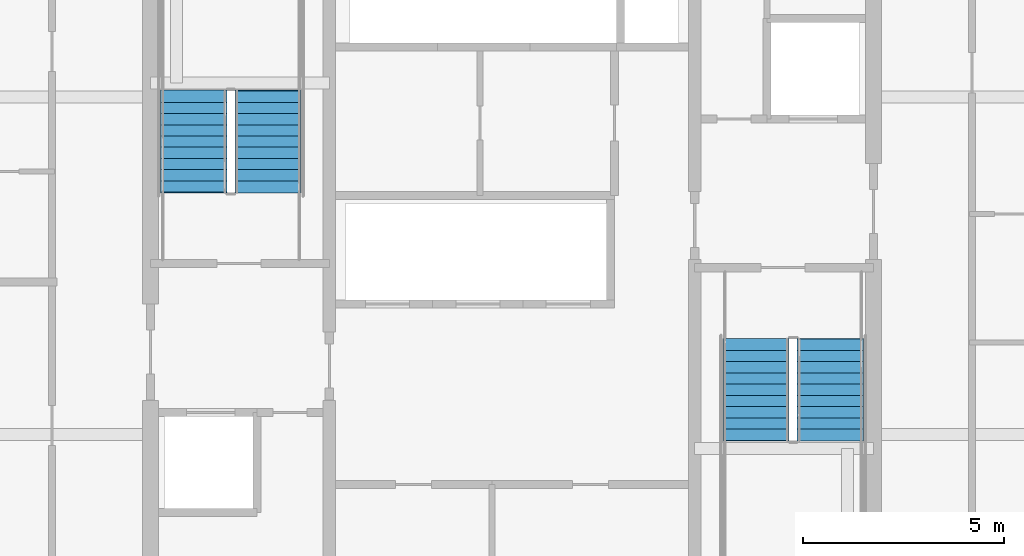
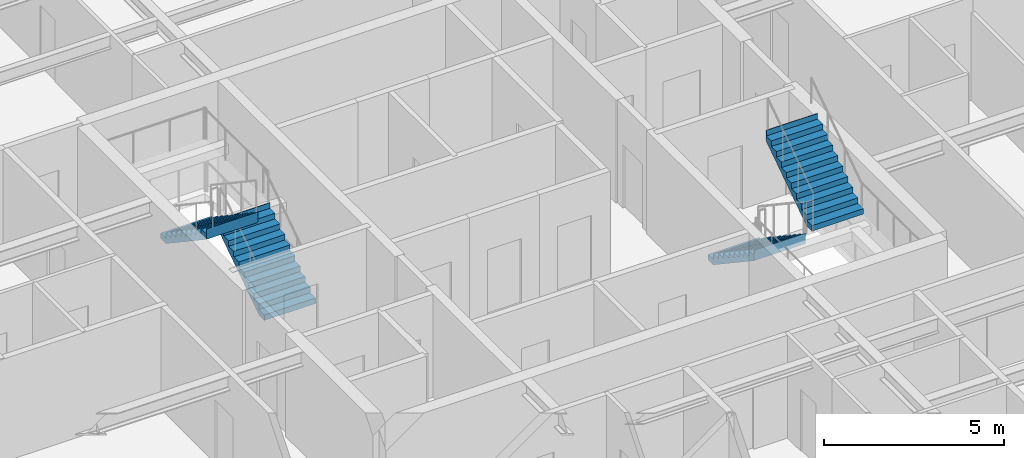
# One storey, part 28 of 33: 4 stair flights, 2 elements without a shape of their own.
"""IFC4 building model written with IfcOpenShell, lengths in metres."""

from ifc_helpers import new_model, si_unit, direction, frame, origin, place, context, subcontext, project, spatial, polygons, material, type_object, element, aggregate, save


model = new_model("IFC4")

# Units and contexts
model_context = context("Model", 3, precision=1e-05, world=origin(), true_north=direction((0.0, 1.0)))
body_context = subcontext(model_context, "Body", "Model", "MODEL_VIEW")
ifc_project = project(units=[si_unit("LENGTHUNIT", "METRE"), si_unit("AREAUNIT", "SQUARE_METRE"), si_unit("VOLUMEUNIT", "CUBIC_METRE"), si_unit("PLANEANGLEUNIT", "RADIAN"), si_unit("MASSUNIT", "GRAM", prefix="KILO")], contexts=[model_context])

# Site, building, storey
site_placement = place(None, origin())
site = spatial("IfcSite", under=ifc_project, at=site_placement, CompositionType="ELEMENT")
building_placement = place(site_placement, origin())
building = spatial("IfcBuilding", under=site, at=building_placement, Name="Serunith Strait Residences", CompositionType="ELEMENT")
storey_placement = place(building_placement, frame((0.0, 0.0, 150.14990234375)))
storey = spatial("IfcBuildingStorey", under=building, at=storey_placement, Name="L37", CompositionType="ELEMENT", Elevation=150.14990234375)

# Stair, stair flights
ifc_material = material(Name="Concrete C50/60", Category="concrete")
stair_type_1 = type_object("IfcStairType", Name="STR-CORE-1", PredefinedType="HALF_TURN_STAIR", material=ifc_material)
stair_1_placement = place(storey_placement, origin())
stair_1 = element("IfcStair", 1, at=stair_1_placement, inside=storey, type_object=stair_type_1, Name="L37 Protected Escape Stair ST-1", PredefinedType="HALF_TURN_STAIR")
stair_flight_type_1 = type_object("IfcStairFlightType", Name="FLT-CORE-1", PredefinedType="STRAIGHT", material=ifc_material)
stair_flight_1_placement = place(storey_placement, frame((26.324951171875, 27.030029296875, 0.0), z_axis=(0.0, 0.0, 1.0), x_axis=(0.0, 1.0, 0.0)))
stair_flight_1 = element("IfcStairFlight", 2, at=stair_flight_1_placement, type_object=stair_flight_type_1, Name="ST-1 flight 1", NumberOfRisers=10, NumberOfTreads=9, PredefinedType="STRAIGHT", RiserHeight=0.1875, TreadLength=0.28, context=body_context, shape_type="Tessellation", body=[
    polygons([(-0.02001953125, -0.824951171875, 0.0), (-0.02001953125, -0.824951171875, 0.1875), (0.280029296875, -0.824951171875, 0.1875), (0.280029296875, -0.824951171875, 0.375), (0.56005859375, -0.824951171875, 0.375), (0.56005859375, -0.824951171875, 0.5625), (0.840087890625, -0.824951171875, 0.5625), (0.840087890625, -0.824951171875, 0.75), (1.1201171875, -0.824951171875, 0.75), (1.1201171875, -0.824951171875, 0.9375), (1.39990234375, -0.824951171875, 0.9375), (1.39990234375, -0.824951171875, 1.125), (1.679931640625, -0.824951171875, 1.125), (1.679931640625, -0.824951171875, 1.3125), (1.9599609375, -0.824951171875, 1.3125), (1.9599609375, -0.824951171875, 1.5), (2.239990234375, -0.824951171875, 1.5), (2.239990234375, -0.824951171875, 1.6875), (2.52001953125, -0.824951171875, 1.6875), (2.52001953125, -0.824951171875, 1.875), (2.5400390625, -0.824951171875, 1.875), (2.5400390625, -0.824951171875, 1.81494140625), (2.52001953125, -0.824951171875, 1.507080078125), (0.26953125, -0.824951171875, 0.0), (-0.02001953125, -0.41259765625, 0.0), (-0.02001953125, -0.41259765625, 0.1875), (0.280029296875, -0.41259765625, 0.1875), (0.280029296875, -0.41259765625, 0.375), (0.56005859375, -0.41259765625, 0.375), (0.56005859375, -0.41259765625, 0.5625), (0.840087890625, -0.41259765625, 0.5625), (0.840087890625, -0.41259765625, 0.75), (1.1201171875, -0.41259765625, 0.75), (1.1201171875, -0.41259765625, 0.9375), (1.39990234375, -0.41259765625, 0.9375), (1.39990234375, -0.41259765625, 1.125), (1.679931640625, -0.41259765625, 1.125), (1.679931640625, -0.41259765625, 1.3125), (1.9599609375, -0.41259765625, 1.3125), (1.9599609375, -0.41259765625, 1.5), (2.239990234375, -0.41259765625, 1.5), (2.239990234375, -0.41259765625, 1.6875), (2.52001953125, -0.41259765625, 1.6875), (2.52001953125, -0.41259765625, 1.875), (2.5400390625, -0.41259765625, 1.875), (2.5400390625, -0.41259765625, 1.81494140625), (2.52001953125, -0.41259765625, 1.507080078125), (0.26953125, -0.41259765625, 0.0), (-0.02001953125, 0.0, 0.0), (-0.02001953125, 0.0, 0.1875), (0.280029296875, 0.0, 0.1875), (0.280029296875, 0.0, 0.375), (0.56005859375, 0.0, 0.375), (0.56005859375, 0.0, 0.5625), (0.840087890625, 0.0, 0.5625), (0.840087890625, 0.0, 0.75), (1.1201171875, 0.0, 0.75), (1.1201171875, 0.0, 0.9375), (1.39990234375, 0.0, 0.9375), (1.39990234375, 0.0, 1.125), (1.679931640625, 0.0, 1.125), (1.679931640625, 0.0, 1.3125), (1.9599609375, 0.0, 1.3125), (1.9599609375, 0.0, 1.5), (2.239990234375, 0.0, 1.5), (2.239990234375, 0.0, 1.6875), (2.52001953125, 0.0, 1.6875), (2.52001953125, 0.0, 1.875), (2.5400390625, 0.0, 1.875), (2.5400390625, 0.0, 1.81494140625), (2.52001953125, 0.0, 1.507080078125), (0.26953125, 0.0, 0.0), (-0.02001953125, 0.41259765625, 0.0), (-0.02001953125, 0.41259765625, 0.1875), (0.280029296875, 0.41259765625, 0.1875), (0.280029296875, 0.41259765625, 0.375), (0.56005859375, 0.41259765625, 0.375), (0.56005859375, 0.41259765625, 0.5625), (0.840087890625, 0.41259765625, 0.5625), (0.840087890625, 0.41259765625, 0.75), (1.1201171875, 0.41259765625, 0.75), (1.1201171875, 0.41259765625, 0.9375), (1.39990234375, 0.41259765625, 0.9375), (1.39990234375, 0.41259765625, 1.125), (1.679931640625, 0.41259765625, 1.125), (1.679931640625, 0.41259765625, 1.3125), (1.9599609375, 0.41259765625, 1.3125), (1.9599609375, 0.41259765625, 1.5), (2.239990234375, 0.41259765625, 1.5), (2.239990234375, 0.41259765625, 1.6875), (2.52001953125, 0.41259765625, 1.6875), (2.52001953125, 0.41259765625, 1.875), (2.5400390625, 0.41259765625, 1.875), (2.5400390625, 0.41259765625, 1.81494140625), (2.52001953125, 0.41259765625, 1.507080078125), (0.26953125, 0.41259765625, 0.0), (-0.02001953125, 0.824951171875, 0.0), (-0.02001953125, 0.824951171875, 0.1875), (0.280029296875, 0.824951171875, 0.1875), (0.280029296875, 0.824951171875, 0.375), (0.56005859375, 0.824951171875, 0.375), (0.56005859375, 0.824951171875, 0.5625), (0.840087890625, 0.824951171875, 0.5625), (0.840087890625, 0.824951171875, 0.75), (1.1201171875, 0.824951171875, 0.75), (1.1201171875, 0.824951171875, 0.9375), (1.39990234375, 0.824951171875, 0.9375), (1.39990234375, 0.824951171875, 1.125), (1.679931640625, 0.824951171875, 1.125), (1.679931640625, 0.824951171875, 1.3125), (1.9599609375, 0.824951171875, 1.3125), (1.9599609375, 0.824951171875, 1.5), (2.239990234375, 0.824951171875, 1.5), (2.239990234375, 0.824951171875, 1.6875), (2.52001953125, 0.824951171875, 1.6875), (2.52001953125, 0.824951171875, 1.875), (2.5400390625, 0.824951171875, 1.875), (2.5400390625, 0.824951171875, 1.81494140625), (2.52001953125, 0.824951171875, 1.507080078125), (0.26953125, 0.824951171875, 0.0)], [[[1, 2, 26, 25]], [[2, 3, 27, 26]], [[3, 4, 28, 27]], [[4, 5, 29, 28]], [[5, 6, 30, 29]], [[6, 7, 31, 30]], [[7, 8, 32, 31]], [[8, 9, 33, 32]], [[9, 10, 34, 33]], [[10, 11, 35, 34]], [[11, 12, 36, 35]], [[12, 13, 37, 36]], [[13, 14, 38, 37]], [[14, 15, 39, 38]], [[15, 16, 40, 39]], [[16, 17, 41, 40]], [[17, 18, 42, 41]], [[18, 19, 43, 42]], [[19, 20, 44, 43]], [[20, 21, 45, 44]], [[21, 22, 46, 45]], [[22, 23, 47, 46]], [[23, 24, 48, 47]], [[24, 1, 25, 48]], [[25, 26, 50, 49]], [[26, 27, 51, 50]], [[27, 28, 52, 51]], [[28, 29, 53, 52]], [[29, 30, 54, 53]], [[30, 31, 55, 54]], [[31, 32, 56, 55]], [[32, 33, 57, 56]], [[33, 34, 58, 57]], [[34, 35, 59, 58]], [[35, 36, 60, 59]], [[36, 37, 61, 60]], [[37, 38, 62, 61]], [[38, 39, 63, 62]], [[39, 40, 64, 63]], [[40, 41, 65, 64]], [[41, 42, 66, 65]], [[42, 43, 67, 66]], [[43, 44, 68, 67]], [[44, 45, 69, 68]], [[45, 46, 70, 69]], [[46, 47, 71, 70]], [[47, 48, 72, 71]], [[48, 25, 49, 72]], [[49, 50, 74, 73]], [[50, 51, 75, 74]], [[51, 52, 76, 75]], [[52, 53, 77, 76]], [[53, 54, 78, 77]], [[54, 55, 79, 78]], [[55, 56, 80, 79]], [[56, 57, 81, 80]], [[57, 58, 82, 81]], [[58, 59, 83, 82]], [[59, 60, 84, 83]], [[60, 61, 85, 84]], [[61, 62, 86, 85]], [[62, 63, 87, 86]], [[63, 64, 88, 87]], [[64, 65, 89, 88]], [[65, 66, 90, 89]], [[66, 67, 91, 90]], [[67, 68, 92, 91]], [[68, 69, 93, 92]], [[69, 70, 94, 93]], [[70, 71, 95, 94]], [[71, 72, 96, 95]], [[72, 49, 73, 96]], [[73, 74, 98, 97]], [[74, 75, 99, 98]], [[75, 76, 100, 99]], [[76, 77, 101, 100]], [[77, 78, 102, 101]], [[78, 79, 103, 102]], [[79, 80, 104, 103]], [[80, 81, 105, 104]], [[81, 82, 106, 105]], [[82, 83, 107, 106]], [[83, 84, 108, 107]], [[84, 85, 109, 108]], [[85, 86, 110, 109]], [[86, 87, 111, 110]], [[87, 88, 112, 111]], [[88, 89, 113, 112]], [[89, 90, 114, 113]], [[90, 91, 115, 114]], [[91, 92, 116, 115]], [[92, 93, 117, 116]], [[93, 94, 118, 117]], [[94, 95, 119, 118]], [[95, 96, 120, 119]], [[96, 73, 97, 120]], [[24, 23, 22, 21, 20, 19, 18, 17, 16, 15, 14, 13, 12, 11, 10, 9, 8, 7, 6, 5, 4, 3, 2, 1]], [[97, 98, 99, 100, 101, 102, 103, 104, 105, 106, 107, 108, 109, 110, 111, 112, 113, 114, 115, 116, 117, 118, 119, 120]]], closed=True),
])
stair_flight_2_placement = place(storey_placement, frame((24.47509765625, 29.550048828125, 1.875), z_axis=(0.0, 0.0, 1.0), x_axis=(0.0, -1.0, 0.0)))
stair_flight_2 = element("IfcStairFlight", 3, at=stair_flight_2_placement, type_object=stair_flight_type_1, Name="ST-1 flight 2", NumberOfRisers=10, NumberOfTreads=9, PredefinedType="STRAIGHT", RiserHeight=0.1875, TreadLength=0.28, context=body_context, shape_type="Tessellation", body=[
    polygons([(-0.02001953125, -0.824951171875, 0.0), (-0.02001953125, -0.824951171875, 0.1875), (0.280029296875, -0.824951171875, 0.1875), (0.280029296875, -0.824951171875, 0.375), (0.56005859375, -0.824951171875, 0.375), (0.56005859375, -0.824951171875, 0.5625), (0.840087890625, -0.824951171875, 0.5625), (0.840087890625, -0.824951171875, 0.75), (1.1201171875, -0.824951171875, 0.75), (1.1201171875, -0.824951171875, 0.9375), (1.39990234375, -0.824951171875, 0.9375), (1.39990234375, -0.824951171875, 1.125), (1.679931640625, -0.824951171875, 1.125), (1.679931640625, -0.824951171875, 1.3125), (1.9599609375, -0.824951171875, 1.3125), (1.9599609375, -0.824951171875, 1.5), (2.239990234375, -0.824951171875, 1.5), (2.239990234375, -0.824951171875, 1.6875), (2.52001953125, -0.824951171875, 1.6875), (2.52001953125, -0.824951171875, 1.875), (2.5400390625, -0.824951171875, 1.875), (2.5400390625, -0.824951171875, 1.81494140625), (2.52001953125, -0.824951171875, 1.507080078125), (0.26953125, -0.824951171875, 0.0), (-0.02001953125, -0.41259765625, 0.0), (-0.02001953125, -0.41259765625, 0.1875), (0.280029296875, -0.41259765625, 0.1875), (0.280029296875, -0.41259765625, 0.375), (0.56005859375, -0.41259765625, 0.375), (0.56005859375, -0.41259765625, 0.5625), (0.840087890625, -0.41259765625, 0.5625), (0.840087890625, -0.41259765625, 0.75), (1.1201171875, -0.41259765625, 0.75), (1.1201171875, -0.41259765625, 0.9375), (1.39990234375, -0.41259765625, 0.9375), (1.39990234375, -0.41259765625, 1.125), (1.679931640625, -0.41259765625, 1.125), (1.679931640625, -0.41259765625, 1.3125), (1.9599609375, -0.41259765625, 1.3125), (1.9599609375, -0.41259765625, 1.5), (2.239990234375, -0.41259765625, 1.5), (2.239990234375, -0.41259765625, 1.6875), (2.52001953125, -0.41259765625, 1.6875), (2.52001953125, -0.41259765625, 1.875), (2.5400390625, -0.41259765625, 1.875), (2.5400390625, -0.41259765625, 1.81494140625), (2.52001953125, -0.41259765625, 1.507080078125), (0.26953125, -0.41259765625, 0.0), (-0.02001953125, 0.0, 0.0), (-0.02001953125, 0.0, 0.1875), (0.280029296875, 0.0, 0.1875), (0.280029296875, 0.0, 0.375), (0.56005859375, 0.0, 0.375), (0.56005859375, 0.0, 0.5625), (0.840087890625, 0.0, 0.5625), (0.840087890625, 0.0, 0.75), (1.1201171875, 0.0, 0.75), (1.1201171875, 0.0, 0.9375), (1.39990234375, 0.0, 0.9375), (1.39990234375, 0.0, 1.125), (1.679931640625, 0.0, 1.125), (1.679931640625, 0.0, 1.3125), (1.9599609375, 0.0, 1.3125), (1.9599609375, 0.0, 1.5), (2.239990234375, 0.0, 1.5), (2.239990234375, 0.0, 1.6875), (2.52001953125, 0.0, 1.6875), (2.52001953125, 0.0, 1.875), (2.5400390625, 0.0, 1.875), (2.5400390625, 0.0, 1.81494140625), (2.52001953125, 0.0, 1.507080078125), (0.26953125, 0.0, 0.0), (-0.02001953125, 0.41259765625, 0.0), (-0.02001953125, 0.41259765625, 0.1875), (0.280029296875, 0.41259765625, 0.1875), (0.280029296875, 0.41259765625, 0.375), (0.56005859375, 0.41259765625, 0.375), (0.56005859375, 0.41259765625, 0.5625), (0.840087890625, 0.41259765625, 0.5625), (0.840087890625, 0.41259765625, 0.75), (1.1201171875, 0.41259765625, 0.75), (1.1201171875, 0.41259765625, 0.9375), (1.39990234375, 0.41259765625, 0.9375), (1.39990234375, 0.41259765625, 1.125), (1.679931640625, 0.41259765625, 1.125), (1.679931640625, 0.41259765625, 1.3125), (1.9599609375, 0.41259765625, 1.3125), (1.9599609375, 0.41259765625, 1.5), (2.239990234375, 0.41259765625, 1.5), (2.239990234375, 0.41259765625, 1.6875), (2.52001953125, 0.41259765625, 1.6875), (2.52001953125, 0.41259765625, 1.875), (2.5400390625, 0.41259765625, 1.875), (2.5400390625, 0.41259765625, 1.81494140625), (2.52001953125, 0.41259765625, 1.507080078125), (0.26953125, 0.41259765625, 0.0), (-0.02001953125, 0.824951171875, 0.0), (-0.02001953125, 0.824951171875, 0.1875), (0.280029296875, 0.824951171875, 0.1875), (0.280029296875, 0.824951171875, 0.375), (0.56005859375, 0.824951171875, 0.375), (0.56005859375, 0.824951171875, 0.5625), (0.840087890625, 0.824951171875, 0.5625), (0.840087890625, 0.824951171875, 0.75), (1.1201171875, 0.824951171875, 0.75), (1.1201171875, 0.824951171875, 0.9375), (1.39990234375, 0.824951171875, 0.9375), (1.39990234375, 0.824951171875, 1.125), (1.679931640625, 0.824951171875, 1.125), (1.679931640625, 0.824951171875, 1.3125), (1.9599609375, 0.824951171875, 1.3125), (1.9599609375, 0.824951171875, 1.5), (2.239990234375, 0.824951171875, 1.5), (2.239990234375, 0.824951171875, 1.6875), (2.52001953125, 0.824951171875, 1.6875), (2.52001953125, 0.824951171875, 1.875), (2.5400390625, 0.824951171875, 1.875), (2.5400390625, 0.824951171875, 1.81494140625), (2.52001953125, 0.824951171875, 1.507080078125), (0.26953125, 0.824951171875, 0.0)], [[[1, 2, 26, 25]], [[2, 3, 27, 26]], [[3, 4, 28, 27]], [[4, 5, 29, 28]], [[5, 6, 30, 29]], [[6, 7, 31, 30]], [[7, 8, 32, 31]], [[8, 9, 33, 32]], [[9, 10, 34, 33]], [[10, 11, 35, 34]], [[11, 12, 36, 35]], [[12, 13, 37, 36]], [[13, 14, 38, 37]], [[14, 15, 39, 38]], [[15, 16, 40, 39]], [[16, 17, 41, 40]], [[17, 18, 42, 41]], [[18, 19, 43, 42]], [[19, 20, 44, 43]], [[20, 21, 45, 44]], [[21, 22, 46, 45]], [[22, 23, 47, 46]], [[23, 24, 48, 47]], [[24, 1, 25, 48]], [[25, 26, 50, 49]], [[26, 27, 51, 50]], [[27, 28, 52, 51]], [[28, 29, 53, 52]], [[29, 30, 54, 53]], [[30, 31, 55, 54]], [[31, 32, 56, 55]], [[32, 33, 57, 56]], [[33, 34, 58, 57]], [[34, 35, 59, 58]], [[35, 36, 60, 59]], [[36, 37, 61, 60]], [[37, 38, 62, 61]], [[38, 39, 63, 62]], [[39, 40, 64, 63]], [[40, 41, 65, 64]], [[41, 42, 66, 65]], [[42, 43, 67, 66]], [[43, 44, 68, 67]], [[44, 45, 69, 68]], [[45, 46, 70, 69]], [[46, 47, 71, 70]], [[47, 48, 72, 71]], [[48, 25, 49, 72]], [[49, 50, 74, 73]], [[50, 51, 75, 74]], [[51, 52, 76, 75]], [[52, 53, 77, 76]], [[53, 54, 78, 77]], [[54, 55, 79, 78]], [[55, 56, 80, 79]], [[56, 57, 81, 80]], [[57, 58, 82, 81]], [[58, 59, 83, 82]], [[59, 60, 84, 83]], [[60, 61, 85, 84]], [[61, 62, 86, 85]], [[62, 63, 87, 86]], [[63, 64, 88, 87]], [[64, 65, 89, 88]], [[65, 66, 90, 89]], [[66, 67, 91, 90]], [[67, 68, 92, 91]], [[68, 69, 93, 92]], [[69, 70, 94, 93]], [[70, 71, 95, 94]], [[71, 72, 96, 95]], [[72, 49, 73, 96]], [[73, 74, 98, 97]], [[74, 75, 99, 98]], [[75, 76, 100, 99]], [[76, 77, 101, 100]], [[77, 78, 102, 101]], [[78, 79, 103, 102]], [[79, 80, 104, 103]], [[80, 81, 105, 104]], [[81, 82, 106, 105]], [[82, 83, 107, 106]], [[83, 84, 108, 107]], [[84, 85, 109, 108]], [[85, 86, 110, 109]], [[86, 87, 111, 110]], [[87, 88, 112, 111]], [[88, 89, 113, 112]], [[89, 90, 114, 113]], [[90, 91, 115, 114]], [[91, 92, 116, 115]], [[92, 93, 117, 116]], [[93, 94, 118, 117]], [[94, 95, 119, 118]], [[95, 96, 120, 119]], [[96, 73, 97, 120]], [[24, 23, 22, 21, 20, 19, 18, 17, 16, 15, 14, 13, 12, 11, 10, 9, 8, 7, 6, 5, 4, 3, 2, 1]], [[97, 98, 99, 100, 101, 102, 103, 104, 105, 106, 107, 108, 109, 110, 111, 112, 113, 114, 115, 116, 117, 118, 119, 120]]], closed=True),
])
aggregate(stair_1, [stair_flight_1, stair_flight_2])

stair_type_2 = type_object("IfcStairType", Name="STR-CORE-2", PredefinedType="HALF_TURN_STAIR", material=ifc_material)
stair_2_placement = place(storey_placement, origin())
stair_2 = element("IfcStair", 4, at=stair_2_placement, inside=storey, type_object=stair_type_2, Name="L37 Protected Escape Stair ST-2", PredefinedType="HALF_TURN_STAIR")
stair_flight_type_2 = type_object("IfcStairFlightType", Name="FLT-CORE-2", PredefinedType="STRAIGHT", material=ifc_material)
stair_flight_3_placement = place(storey_placement, frame((38.47509765625, 23.3701171875, 0.0), z_axis=(0.0, 0.0, 1.0), x_axis=(0.0, -1.0, 0.0)))
stair_flight_3 = element("IfcStairFlight", 5, at=stair_flight_3_placement, type_object=stair_flight_type_2, Name="ST-2 flight 1", NumberOfRisers=10, NumberOfTreads=9, PredefinedType="STRAIGHT", RiserHeight=0.1875, TreadLength=0.28, context=body_context, shape_type="Tessellation", body=[
    polygons([(-0.02001953125, -0.824951171875, 0.0), (-0.02001953125, -0.824951171875, 0.1875), (0.280029296875, -0.824951171875, 0.1875), (0.280029296875, -0.824951171875, 0.375), (0.56005859375, -0.824951171875, 0.375), (0.56005859375, -0.824951171875, 0.5625), (0.840087890625, -0.824951171875, 0.5625), (0.840087890625, -0.824951171875, 0.75), (1.1201171875, -0.824951171875, 0.75), (1.1201171875, -0.824951171875, 0.9375), (1.39990234375, -0.824951171875, 0.9375), (1.39990234375, -0.824951171875, 1.125), (1.679931640625, -0.824951171875, 1.125), (1.679931640625, -0.824951171875, 1.3125), (1.9599609375, -0.824951171875, 1.3125), (1.9599609375, -0.824951171875, 1.5), (2.239990234375, -0.824951171875, 1.5), (2.239990234375, -0.824951171875, 1.6875), (2.52001953125, -0.824951171875, 1.6875), (2.52001953125, -0.824951171875, 1.875), (2.5400390625, -0.824951171875, 1.875), (2.5400390625, -0.824951171875, 1.81494140625), (2.52001953125, -0.824951171875, 1.507080078125), (0.26953125, -0.824951171875, 0.0), (-0.02001953125, -0.41259765625, 0.0), (-0.02001953125, -0.41259765625, 0.1875), (0.280029296875, -0.41259765625, 0.1875), (0.280029296875, -0.41259765625, 0.375), (0.56005859375, -0.41259765625, 0.375), (0.56005859375, -0.41259765625, 0.5625), (0.840087890625, -0.41259765625, 0.5625), (0.840087890625, -0.41259765625, 0.75), (1.1201171875, -0.41259765625, 0.75), (1.1201171875, -0.41259765625, 0.9375), (1.39990234375, -0.41259765625, 0.9375), (1.39990234375, -0.41259765625, 1.125), (1.679931640625, -0.41259765625, 1.125), (1.679931640625, -0.41259765625, 1.3125), (1.9599609375, -0.41259765625, 1.3125), (1.9599609375, -0.41259765625, 1.5), (2.239990234375, -0.41259765625, 1.5), (2.239990234375, -0.41259765625, 1.6875), (2.52001953125, -0.41259765625, 1.6875), (2.52001953125, -0.41259765625, 1.875), (2.5400390625, -0.41259765625, 1.875), (2.5400390625, -0.41259765625, 1.81494140625), (2.52001953125, -0.41259765625, 1.507080078125), (0.26953125, -0.41259765625, 0.0), (-0.02001953125, 0.0, 0.0), (-0.02001953125, 0.0, 0.1875), (0.280029296875, 0.0, 0.1875), (0.280029296875, 0.0, 0.375), (0.56005859375, 0.0, 0.375), (0.56005859375, 0.0, 0.5625), (0.840087890625, 0.0, 0.5625), (0.840087890625, 0.0, 0.75), (1.1201171875, 0.0, 0.75), (1.1201171875, 0.0, 0.9375), (1.39990234375, 0.0, 0.9375), (1.39990234375, 0.0, 1.125), (1.679931640625, 0.0, 1.125), (1.679931640625, 0.0, 1.3125), (1.9599609375, 0.0, 1.3125), (1.9599609375, 0.0, 1.5), (2.239990234375, 0.0, 1.5), (2.239990234375, 0.0, 1.6875), (2.52001953125, 0.0, 1.6875), (2.52001953125, 0.0, 1.875), (2.5400390625, 0.0, 1.875), (2.5400390625, 0.0, 1.81494140625), (2.52001953125, 0.0, 1.507080078125), (0.26953125, 0.0, 0.0), (-0.02001953125, 0.41259765625, 0.0), (-0.02001953125, 0.41259765625, 0.1875), (0.280029296875, 0.41259765625, 0.1875), (0.280029296875, 0.41259765625, 0.375), (0.56005859375, 0.41259765625, 0.375), (0.56005859375, 0.41259765625, 0.5625), (0.840087890625, 0.41259765625, 0.5625), (0.840087890625, 0.41259765625, 0.75), (1.1201171875, 0.41259765625, 0.75), (1.1201171875, 0.41259765625, 0.9375), (1.39990234375, 0.41259765625, 0.9375), (1.39990234375, 0.41259765625, 1.125), (1.679931640625, 0.41259765625, 1.125), (1.679931640625, 0.41259765625, 1.3125), (1.9599609375, 0.41259765625, 1.3125), (1.9599609375, 0.41259765625, 1.5), (2.239990234375, 0.41259765625, 1.5), (2.239990234375, 0.41259765625, 1.6875), (2.52001953125, 0.41259765625, 1.6875), (2.52001953125, 0.41259765625, 1.875), (2.5400390625, 0.41259765625, 1.875), (2.5400390625, 0.41259765625, 1.81494140625), (2.52001953125, 0.41259765625, 1.507080078125), (0.26953125, 0.41259765625, 0.0), (-0.02001953125, 0.824951171875, 0.0), (-0.02001953125, 0.824951171875, 0.1875), (0.280029296875, 0.824951171875, 0.1875), (0.280029296875, 0.824951171875, 0.375), (0.56005859375, 0.824951171875, 0.375), (0.56005859375, 0.824951171875, 0.5625), (0.840087890625, 0.824951171875, 0.5625), (0.840087890625, 0.824951171875, 0.75), (1.1201171875, 0.824951171875, 0.75), (1.1201171875, 0.824951171875, 0.9375), (1.39990234375, 0.824951171875, 0.9375), (1.39990234375, 0.824951171875, 1.125), (1.679931640625, 0.824951171875, 1.125), (1.679931640625, 0.824951171875, 1.3125), (1.9599609375, 0.824951171875, 1.3125), (1.9599609375, 0.824951171875, 1.5), (2.239990234375, 0.824951171875, 1.5), (2.239990234375, 0.824951171875, 1.6875), (2.52001953125, 0.824951171875, 1.6875), (2.52001953125, 0.824951171875, 1.875), (2.5400390625, 0.824951171875, 1.875), (2.5400390625, 0.824951171875, 1.81494140625), (2.52001953125, 0.824951171875, 1.507080078125), (0.26953125, 0.824951171875, 0.0)], [[[1, 2, 26, 25]], [[2, 3, 27, 26]], [[3, 4, 28, 27]], [[4, 5, 29, 28]], [[5, 6, 30, 29]], [[6, 7, 31, 30]], [[7, 8, 32, 31]], [[8, 9, 33, 32]], [[9, 10, 34, 33]], [[10, 11, 35, 34]], [[11, 12, 36, 35]], [[12, 13, 37, 36]], [[13, 14, 38, 37]], [[14, 15, 39, 38]], [[15, 16, 40, 39]], [[16, 17, 41, 40]], [[17, 18, 42, 41]], [[18, 19, 43, 42]], [[19, 20, 44, 43]], [[20, 21, 45, 44]], [[21, 22, 46, 45]], [[22, 23, 47, 46]], [[23, 24, 48, 47]], [[24, 1, 25, 48]], [[25, 26, 50, 49]], [[26, 27, 51, 50]], [[27, 28, 52, 51]], [[28, 29, 53, 52]], [[29, 30, 54, 53]], [[30, 31, 55, 54]], [[31, 32, 56, 55]], [[32, 33, 57, 56]], [[33, 34, 58, 57]], [[34, 35, 59, 58]], [[35, 36, 60, 59]], [[36, 37, 61, 60]], [[37, 38, 62, 61]], [[38, 39, 63, 62]], [[39, 40, 64, 63]], [[40, 41, 65, 64]], [[41, 42, 66, 65]], [[42, 43, 67, 66]], [[43, 44, 68, 67]], [[44, 45, 69, 68]], [[45, 46, 70, 69]], [[46, 47, 71, 70]], [[47, 48, 72, 71]], [[48, 25, 49, 72]], [[49, 50, 74, 73]], [[50, 51, 75, 74]], [[51, 52, 76, 75]], [[52, 53, 77, 76]], [[53, 54, 78, 77]], [[54, 55, 79, 78]], [[55, 56, 80, 79]], [[56, 57, 81, 80]], [[57, 58, 82, 81]], [[58, 59, 83, 82]], [[59, 60, 84, 83]], [[60, 61, 85, 84]], [[61, 62, 86, 85]], [[62, 63, 87, 86]], [[63, 64, 88, 87]], [[64, 65, 89, 88]], [[65, 66, 90, 89]], [[66, 67, 91, 90]], [[67, 68, 92, 91]], [[68, 69, 93, 92]], [[69, 70, 94, 93]], [[70, 71, 95, 94]], [[71, 72, 96, 95]], [[72, 49, 73, 96]], [[73, 74, 98, 97]], [[74, 75, 99, 98]], [[75, 76, 100, 99]], [[76, 77, 101, 100]], [[77, 78, 102, 101]], [[78, 79, 103, 102]], [[79, 80, 104, 103]], [[80, 81, 105, 104]], [[81, 82, 106, 105]], [[82, 83, 107, 106]], [[83, 84, 108, 107]], [[84, 85, 109, 108]], [[85, 86, 110, 109]], [[86, 87, 111, 110]], [[87, 88, 112, 111]], [[88, 89, 113, 112]], [[89, 90, 114, 113]], [[90, 91, 115, 114]], [[91, 92, 116, 115]], [[92, 93, 117, 116]], [[93, 94, 118, 117]], [[94, 95, 119, 118]], [[95, 96, 120, 119]], [[96, 73, 97, 120]], [[24, 23, 22, 21, 20, 19, 18, 17, 16, 15, 14, 13, 12, 11, 10, 9, 8, 7, 6, 5, 4, 3, 2, 1]], [[97, 98, 99, 100, 101, 102, 103, 104, 105, 106, 107, 108, 109, 110, 111, 112, 113, 114, 115, 116, 117, 118, 119, 120]]], closed=True),
])
stair_flight_4_placement = place(storey_placement, frame((40.324951171875, 20.85009765625, 1.875), z_axis=(0.0, 0.0, 1.0), x_axis=(0.0, 1.0, 0.0)))
stair_flight_4 = element("IfcStairFlight", 6, at=stair_flight_4_placement, type_object=stair_flight_type_2, Name="ST-2 flight 2", NumberOfRisers=10, NumberOfTreads=9, PredefinedType="STRAIGHT", RiserHeight=0.1875, TreadLength=0.28, context=body_context, shape_type="Tessellation", body=[
    polygons([(-0.02001953125, -0.824951171875, 0.0), (-0.02001953125, -0.824951171875, 0.1875), (0.280029296875, -0.824951171875, 0.1875), (0.280029296875, -0.824951171875, 0.375), (0.56005859375, -0.824951171875, 0.375), (0.56005859375, -0.824951171875, 0.5625), (0.840087890625, -0.824951171875, 0.5625), (0.840087890625, -0.824951171875, 0.75), (1.1201171875, -0.824951171875, 0.75), (1.1201171875, -0.824951171875, 0.9375), (1.39990234375, -0.824951171875, 0.9375), (1.39990234375, -0.824951171875, 1.125), (1.679931640625, -0.824951171875, 1.125), (1.679931640625, -0.824951171875, 1.3125), (1.9599609375, -0.824951171875, 1.3125), (1.9599609375, -0.824951171875, 1.5), (2.239990234375, -0.824951171875, 1.5), (2.239990234375, -0.824951171875, 1.6875), (2.52001953125, -0.824951171875, 1.6875), (2.52001953125, -0.824951171875, 1.875), (2.5400390625, -0.824951171875, 1.875), (2.5400390625, -0.824951171875, 1.81494140625), (2.52001953125, -0.824951171875, 1.507080078125), (0.26953125, -0.824951171875, 0.0), (-0.02001953125, -0.41259765625, 0.0), (-0.02001953125, -0.41259765625, 0.1875), (0.280029296875, -0.41259765625, 0.1875), (0.280029296875, -0.41259765625, 0.375), (0.56005859375, -0.41259765625, 0.375), (0.56005859375, -0.41259765625, 0.5625), (0.840087890625, -0.41259765625, 0.5625), (0.840087890625, -0.41259765625, 0.75), (1.1201171875, -0.41259765625, 0.75), (1.1201171875, -0.41259765625, 0.9375), (1.39990234375, -0.41259765625, 0.9375), (1.39990234375, -0.41259765625, 1.125), (1.679931640625, -0.41259765625, 1.125), (1.679931640625, -0.41259765625, 1.3125), (1.9599609375, -0.41259765625, 1.3125), (1.9599609375, -0.41259765625, 1.5), (2.239990234375, -0.41259765625, 1.5), (2.239990234375, -0.41259765625, 1.6875), (2.52001953125, -0.41259765625, 1.6875), (2.52001953125, -0.41259765625, 1.875), (2.5400390625, -0.41259765625, 1.875), (2.5400390625, -0.41259765625, 1.81494140625), (2.52001953125, -0.41259765625, 1.507080078125), (0.26953125, -0.41259765625, 0.0), (-0.02001953125, 0.0, 0.0), (-0.02001953125, 0.0, 0.1875), (0.280029296875, 0.0, 0.1875), (0.280029296875, 0.0, 0.375), (0.56005859375, 0.0, 0.375), (0.56005859375, 0.0, 0.5625), (0.840087890625, 0.0, 0.5625), (0.840087890625, 0.0, 0.75), (1.1201171875, 0.0, 0.75), (1.1201171875, 0.0, 0.9375), (1.39990234375, 0.0, 0.9375), (1.39990234375, 0.0, 1.125), (1.679931640625, 0.0, 1.125), (1.679931640625, 0.0, 1.3125), (1.9599609375, 0.0, 1.3125), (1.9599609375, 0.0, 1.5), (2.239990234375, 0.0, 1.5), (2.239990234375, 0.0, 1.6875), (2.52001953125, 0.0, 1.6875), (2.52001953125, 0.0, 1.875), (2.5400390625, 0.0, 1.875), (2.5400390625, 0.0, 1.81494140625), (2.52001953125, 0.0, 1.507080078125), (0.26953125, 0.0, 0.0), (-0.02001953125, 0.41259765625, 0.0), (-0.02001953125, 0.41259765625, 0.1875), (0.280029296875, 0.41259765625, 0.1875), (0.280029296875, 0.41259765625, 0.375), (0.56005859375, 0.41259765625, 0.375), (0.56005859375, 0.41259765625, 0.5625), (0.840087890625, 0.41259765625, 0.5625), (0.840087890625, 0.41259765625, 0.75), (1.1201171875, 0.41259765625, 0.75), (1.1201171875, 0.41259765625, 0.9375), (1.39990234375, 0.41259765625, 0.9375), (1.39990234375, 0.41259765625, 1.125), (1.679931640625, 0.41259765625, 1.125), (1.679931640625, 0.41259765625, 1.3125), (1.9599609375, 0.41259765625, 1.3125), (1.9599609375, 0.41259765625, 1.5), (2.239990234375, 0.41259765625, 1.5), (2.239990234375, 0.41259765625, 1.6875), (2.52001953125, 0.41259765625, 1.6875), (2.52001953125, 0.41259765625, 1.875), (2.5400390625, 0.41259765625, 1.875), (2.5400390625, 0.41259765625, 1.81494140625), (2.52001953125, 0.41259765625, 1.507080078125), (0.26953125, 0.41259765625, 0.0), (-0.02001953125, 0.824951171875, 0.0), (-0.02001953125, 0.824951171875, 0.1875), (0.280029296875, 0.824951171875, 0.1875), (0.280029296875, 0.824951171875, 0.375), (0.56005859375, 0.824951171875, 0.375), (0.56005859375, 0.824951171875, 0.5625), (0.840087890625, 0.824951171875, 0.5625), (0.840087890625, 0.824951171875, 0.75), (1.1201171875, 0.824951171875, 0.75), (1.1201171875, 0.824951171875, 0.9375), (1.39990234375, 0.824951171875, 0.9375), (1.39990234375, 0.824951171875, 1.125), (1.679931640625, 0.824951171875, 1.125), (1.679931640625, 0.824951171875, 1.3125), (1.9599609375, 0.824951171875, 1.3125), (1.9599609375, 0.824951171875, 1.5), (2.239990234375, 0.824951171875, 1.5), (2.239990234375, 0.824951171875, 1.6875), (2.52001953125, 0.824951171875, 1.6875), (2.52001953125, 0.824951171875, 1.875), (2.5400390625, 0.824951171875, 1.875), (2.5400390625, 0.824951171875, 1.81494140625), (2.52001953125, 0.824951171875, 1.507080078125), (0.26953125, 0.824951171875, 0.0)], [[[1, 2, 26, 25]], [[2, 3, 27, 26]], [[3, 4, 28, 27]], [[4, 5, 29, 28]], [[5, 6, 30, 29]], [[6, 7, 31, 30]], [[7, 8, 32, 31]], [[8, 9, 33, 32]], [[9, 10, 34, 33]], [[10, 11, 35, 34]], [[11, 12, 36, 35]], [[12, 13, 37, 36]], [[13, 14, 38, 37]], [[14, 15, 39, 38]], [[15, 16, 40, 39]], [[16, 17, 41, 40]], [[17, 18, 42, 41]], [[18, 19, 43, 42]], [[19, 20, 44, 43]], [[20, 21, 45, 44]], [[21, 22, 46, 45]], [[22, 23, 47, 46]], [[23, 24, 48, 47]], [[24, 1, 25, 48]], [[25, 26, 50, 49]], [[26, 27, 51, 50]], [[27, 28, 52, 51]], [[28, 29, 53, 52]], [[29, 30, 54, 53]], [[30, 31, 55, 54]], [[31, 32, 56, 55]], [[32, 33, 57, 56]], [[33, 34, 58, 57]], [[34, 35, 59, 58]], [[35, 36, 60, 59]], [[36, 37, 61, 60]], [[37, 38, 62, 61]], [[38, 39, 63, 62]], [[39, 40, 64, 63]], [[40, 41, 65, 64]], [[41, 42, 66, 65]], [[42, 43, 67, 66]], [[43, 44, 68, 67]], [[44, 45, 69, 68]], [[45, 46, 70, 69]], [[46, 47, 71, 70]], [[47, 48, 72, 71]], [[48, 25, 49, 72]], [[49, 50, 74, 73]], [[50, 51, 75, 74]], [[51, 52, 76, 75]], [[52, 53, 77, 76]], [[53, 54, 78, 77]], [[54, 55, 79, 78]], [[55, 56, 80, 79]], [[56, 57, 81, 80]], [[57, 58, 82, 81]], [[58, 59, 83, 82]], [[59, 60, 84, 83]], [[60, 61, 85, 84]], [[61, 62, 86, 85]], [[62, 63, 87, 86]], [[63, 64, 88, 87]], [[64, 65, 89, 88]], [[65, 66, 90, 89]], [[66, 67, 91, 90]], [[67, 68, 92, 91]], [[68, 69, 93, 92]], [[69, 70, 94, 93]], [[70, 71, 95, 94]], [[71, 72, 96, 95]], [[72, 49, 73, 96]], [[73, 74, 98, 97]], [[74, 75, 99, 98]], [[75, 76, 100, 99]], [[76, 77, 101, 100]], [[77, 78, 102, 101]], [[78, 79, 103, 102]], [[79, 80, 104, 103]], [[80, 81, 105, 104]], [[81, 82, 106, 105]], [[82, 83, 107, 106]], [[83, 84, 108, 107]], [[84, 85, 109, 108]], [[85, 86, 110, 109]], [[86, 87, 111, 110]], [[87, 88, 112, 111]], [[88, 89, 113, 112]], [[89, 90, 114, 113]], [[90, 91, 115, 114]], [[91, 92, 116, 115]], [[92, 93, 117, 116]], [[93, 94, 118, 117]], [[94, 95, 119, 118]], [[95, 96, 120, 119]], [[96, 73, 97, 120]], [[24, 23, 22, 21, 20, 19, 18, 17, 16, 15, 14, 13, 12, 11, 10, 9, 8, 7, 6, 5, 4, 3, 2, 1]], [[97, 98, 99, 100, 101, 102, 103, 104, 105, 106, 107, 108, 109, 110, 111, 112, 113, 114, 115, 116, 117, 118, 119, 120]]], closed=True),
])
aggregate(stair_2, [stair_flight_3, stair_flight_4])

save(model, "model.ifc")
